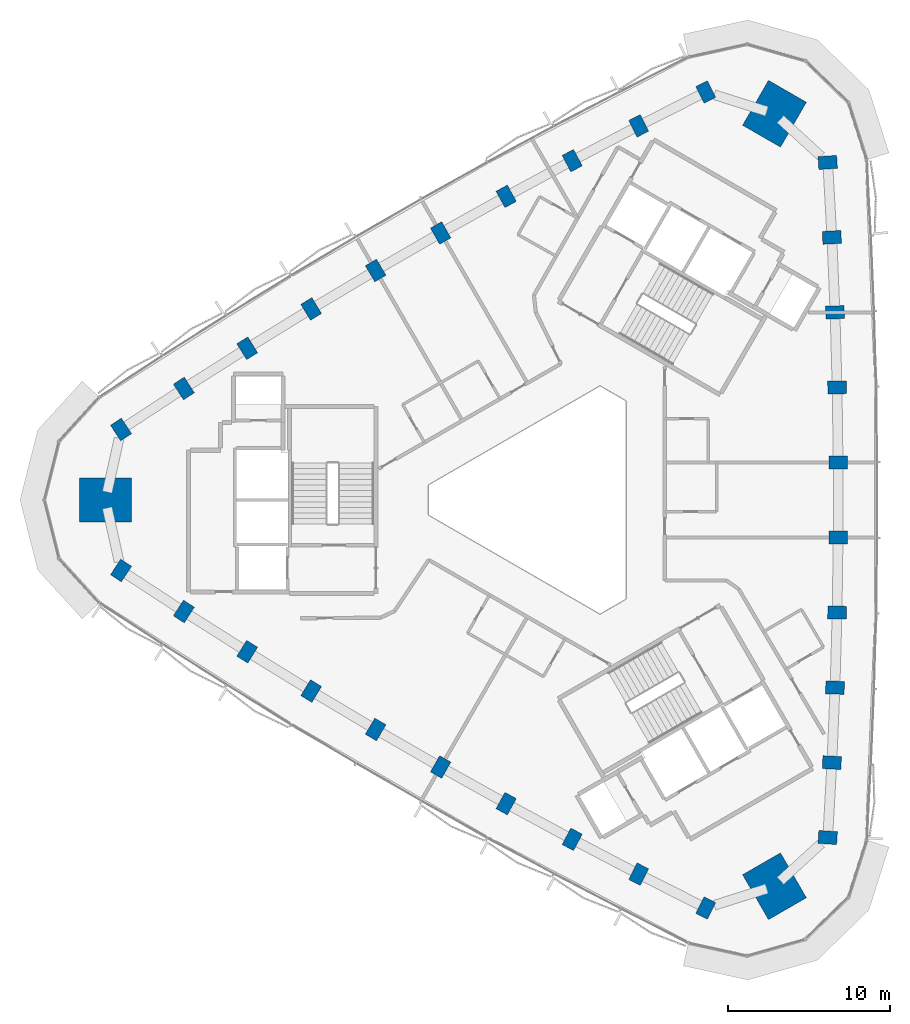
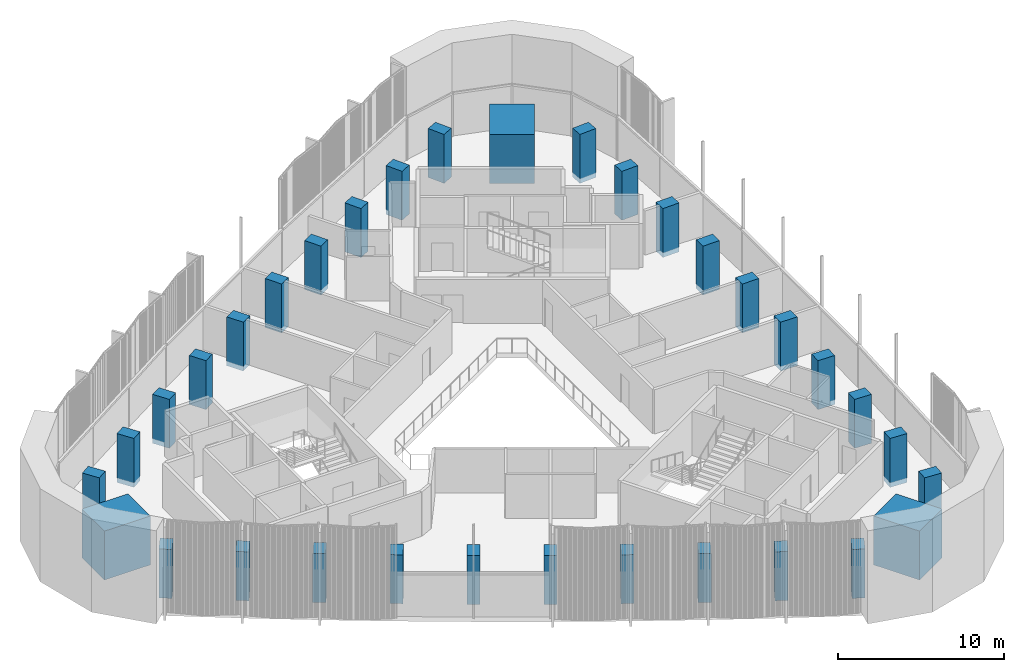
# One storey, part 1 of 13: 33 columns.
"""IFC4 building model written with IfcOpenShell, lengths in metres."""

from ifc_helpers import new_model, si_unit, direction, frame, origin, origin_2d, place, context, subcontext, project, spatial, rectangle, extrude, material, material_profile, profile_set, type_object, element, save


model = new_model("IFC4")

# Units and contexts
model_context = context("Model", 3, precision=1e-05, world=origin(), true_north=direction((0.0, 1.0)))
body_context = subcontext(model_context, "Body", "Model", "MODEL_VIEW")
ifc_project = project(units=[si_unit("LENGTHUNIT", "METRE"), si_unit("AREAUNIT", "SQUARE_METRE"), si_unit("VOLUMEUNIT", "CUBIC_METRE"), si_unit("PLANEANGLEUNIT", "RADIAN"), si_unit("MASSUNIT", "GRAM", prefix="KILO")], contexts=[model_context])

# Site, building, storey
site_placement = place(None, origin())
site = spatial("IfcSite", under=ifc_project, at=site_placement, CompositionType="ELEMENT")
building_placement = place(site_placement, origin())
building = spatial("IfcBuilding", under=site, at=building_placement, Name="Tamra Quay Hotel Tower", CompositionType="ELEMENT")
storey_placement = place(building_placement, frame((0.0, 0.0, 186.39990234375)))
storey = spatial("IfcBuildingStorey", under=building, at=storey_placement, Name="L46", CompositionType="ELEMENT", Elevation=186.39990234375)

# Columns
ifc_material = material(Name="Concrete M70", Category="concrete")
ifc_material_profile_1 = material_profile(ifc_material, rectangle(XDim=1.14990234375, YDim=0.800048828125, at=origin_2d()), Name="COLUMN RC 800x1150 Z4")
ifc_profile_set_1 = profile_set([ifc_material_profile_1], Name="Concrete M70")
column_type_1 = type_object("IfcColumnType", Name="COLUMN RC 800x1150 Z4", PredefinedType="COLUMN", material=ifc_profile_set_1)
for number, where, z_axis, x_axis, name in (
    (1, (17.069580078125, -20.856201171875, -0.349853515625), (0.0, 0.0, 1.0), (-0.998081035395, 0.061921295089, 0.0), "COL-C4E01-L46"),
    (2, (17.326416015625, -16.2255859375, -0.349853515625), (0.0, 0.0, 1.0), (-0.998830734492, 0.048344222345, 0.0), "COL-C4E02-L46"),
    (3, (17.519287109375, -11.592041015625, -0.349853515625), (0.0, 0.0, 1.0), (-0.999411600314, 0.034299462929, 0.0), "COL-C4E03-L46"),
    (4, (17.648193359375, -6.955810546875, -0.349853515625), (0.0, 0.0, 1.0), (-0.99977704996, 0.021115169271, 0.0), "COL-C4E04-L46"),
    (5, (17.71240234375, -2.318603515625, -0.349853515625), (0.0, 0.0, 1.0), (-0.999975214668, 0.007040600034, 0.0), "COL-C4E05-L46"),
    (6, (17.71240234375, 2.318603515625, -0.349853515625), (0.0, 0.0, 1.0), (0.999975214668, 0.007040600034, 0.0), "COL-C4E06-L46"),
    (7, (17.648193359375, 6.955810546875, -0.349853515625), (0.0, 0.0, 1.0), (0.99977704996, 0.021115169271, 0.0), "COL-C4E07-L46"),
    (8, (17.519287109375, 11.592041015625, -0.349853515625), (0.0, 0.0, 1.0), (0.999411600314, 0.034299462929, 0.0), "COL-C4E08-L46"),
    (9, (17.326416015625, 16.2255859375, -0.349853515625), (0.0, 0.0, 1.0), (0.998830734492, 0.048344222345, 0.0), "COL-C4E09-L46"),
    (10, (17.069580078125, 20.856201171875, -0.349853515625), (0.0, 0.0, 1.0), (0.998081035395, 0.061921295089, 0.0), "COL-C4E10-L46"),
    (11, (9.527099609375, 25.210693359375, -0.349853515625), (0.0, 0.0, 1.0), (-0.445415103115, 0.895324179232, 0.0), "COL-C4NW01-L46"),
    (12, (5.388427734375, 23.117919921875, -0.349853515625), (0.0, 0.0, 1.0), (-0.457548042569, 0.889184901323, 0.0), "COL-C4NW02-L46"),
    (13, (1.279296875, 20.96826171875, -0.349853515625), (0.0, 0.0, 1.0), (-0.470001593924, 0.882665566174, 0.0), "COL-C4NW03-L46"),
    (14, (-2.80029296875, 18.76171875, -0.349853515625), (0.0, 0.0, 1.0), (-0.481602251986, 0.876389908021, 0.0), "COL-C4NW04-L46"),
    (15, (-6.84814453125, 16.498779296875, -0.349853515625), (0.0, 0.0, 1.0), (-0.493890268847, 0.869524239075, 0.0), "COL-C4NW05-L46"),
    (16, (-10.8642578125, 14.18017578125, -0.349853515625), (0.0, 0.0, 1.0), (-0.506084945822, 0.862483639041, 0.0), "COL-C4NW06-L46"),
    (17, (-14.847900390625, 11.805908203125, -0.349853515625), (0.0, 0.0, 1.0), (-0.518174797974, 0.855274738751, 0.0), "COL-C4NW07-L46"),
    (18, (-18.798583984375, 9.376220703125, -0.349853515625), (0.0, 0.0, 1.0), (-0.52941000639, 0.848366103245, 0.0), "COL-C4NW08-L46"),
    (19, (-22.71484375, 6.892333984375, -0.349853515625), (0.0, 0.0, 1.0), (-0.541282691923, 0.840840678978, 0.0), "COL-C4NW09-L46"),
    (20, (-26.5966796875, 4.3544921875, -0.349853515625), (0.0, 0.0, 1.0), (-0.55266593228, 0.833402884143, 0.0), "COL-C4NW10-L46"),
    (21, (-26.5966796875, -4.3544921875, -0.349853515625), (0.0, 0.0, 1.0), (0.55266593228, 0.833402884143, 0.0), "COL-C4SW01-L46"),
    (22, (-22.71484375, -6.892333984375, -0.349853515625), (0.0, 0.0, 1.0), (0.541282691923, 0.840840678978, 0.0), "COL-C4SW02-L46"),
    (23, (-18.798583984375, -9.376220703125, -0.349853515625), (0.0, 0.0, 1.0), (0.52941000639, 0.848366103245, 0.0), "COL-C4SW03-L46"),
    (24, (-14.847900390625, -11.805908203125, -0.349853515625), (0.0, 0.0, 1.0), (0.518174797974, 0.855274738751, 0.0), "COL-C4SW04-L46"),
    (25, (-10.8642578125, -14.18017578125, -0.349853515625), (0.0, 0.0, 1.0), (0.506084945822, 0.862483639041, 0.0), "COL-C4SW05-L46"),
    (26, (-6.84814453125, -16.498779296875, -0.349853515625), (0.0, 0.0, 1.0), (0.493890268847, 0.869524239075, 0.0), "COL-C4SW06-L46"),
    (27, (-2.80029296875, -18.76171875, -0.349853515625), (0.0, 0.0, 1.0), (0.481602251986, 0.876389908021, 0.0), "COL-C4SW07-L46"),
    (28, (1.279296875, -20.96826171875, -0.349853515625), (0.0, 0.0, 1.0), (0.470001593924, 0.882665566174, 0.0), "COL-C4SW08-L46"),
    (29, (5.388427734375, -23.117919921875, -0.349853515625), (0.0, 0.0, 1.0), (0.457548042569, 0.889184901323, 0.0), "COL-C4SW09-L46"),
    (30, (9.527099609375, -25.210693359375, -0.349853515625), (0.0, 0.0, 1.0), (0.445415103115, 0.895324179232, 0.0), "COL-C4SW10-L46"),
):
    element("IfcColumn", number, at=place(storey_placement, frame(where, z_axis=z_axis, x_axis=x_axis)), inside=storey, type_object=column_type_1, Name=name, PredefinedType="COLUMN", context=body_context, shape_type="SweptSolid", body=[
        extrude(rectangle(XDim=1.14990234375, YDim=0.800048828125, at=origin_2d()), origin(), (0.0, 0.0, 1.0), 3.599853515625),
    ])
ifc_material_profile_2 = material_profile(ifc_material, rectangle(XDim=3.199951171875, YDim=2.699951171875, at=origin_2d()), Name="MEGA COLUMN RC 2700x3200 Z4")
ifc_profile_set_2 = profile_set([ifc_material_profile_2], Name="Concrete M70")
column_type_2 = type_object("IfcColumnType", Name="MEGA COLUMN RC 2700x3200 Z4", PredefinedType="COLUMN", material=ifc_profile_set_2)
for number, where, z_axis, x_axis, name in (
    (31, (13.779541015625, 23.86669921875, -0.349853515625), (0.0, 0.0, 1.0), (0.5, 0.866025403784, 0.0), "COL-M4NE-L46"),
    (32, (-27.55908203125, 0.0, -0.349853515625), (0.0, 0.0, 1.0), (1.0, 0.0, 0.0), "COL-M4W-L46"),
    (33, (13.779541015625, -23.86669921875, -0.349853515625), (0.0, 0.0, 1.0), (-0.5, 0.866025403784, 0.0), "COL-M4SE-L46"),
):
    element("IfcColumn", number, at=place(storey_placement, frame(where, z_axis=z_axis, x_axis=x_axis)), inside=storey, type_object=column_type_2, Name=name, PredefinedType="COLUMN", context=body_context, shape_type="SweptSolid", body=[
        extrude(rectangle(XDim=3.199951171875, YDim=2.699951171875, at=origin_2d()), origin(), (0.0, 0.0, 1.0), 3.599853515625),
    ])

save(model, "model.ifc")
